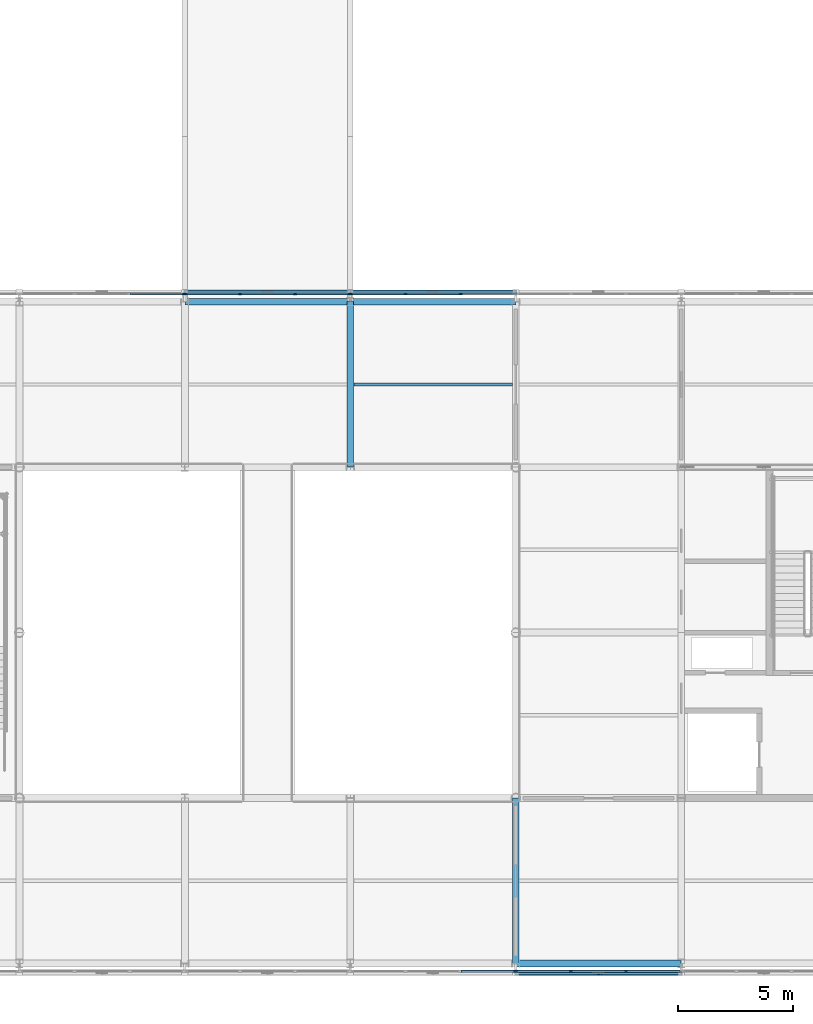
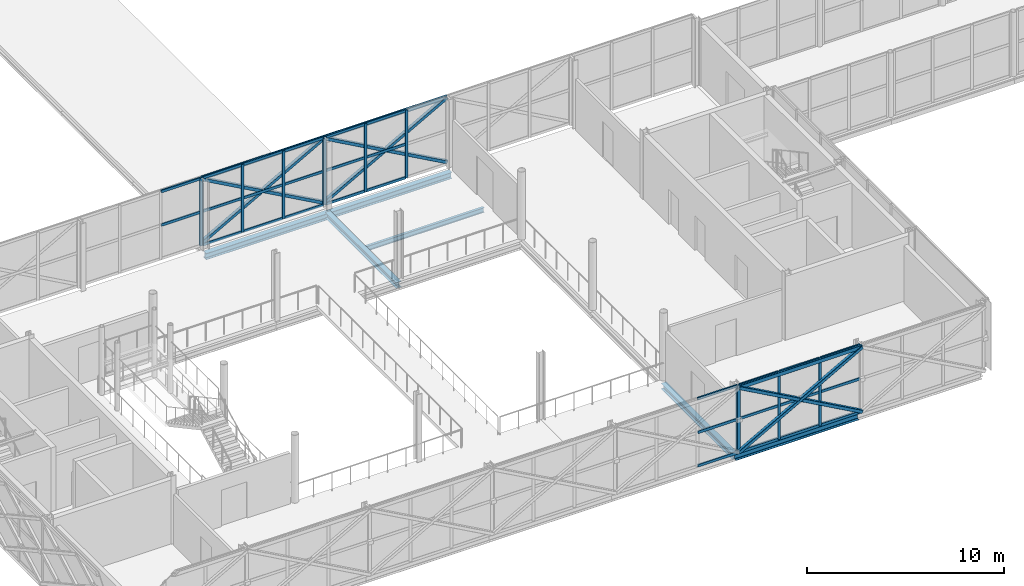
# One storey, part 34 of 126: 53 members, 6 beams, 5 elements without a shape of their own.
"""IFC4 building model written with IfcOpenShell, lengths in metres."""

from ifc_helpers import new_model, si_unit, direction, frame, origin, origin_2d, place, context, subcontext, project, spatial, rectangle, hollow_rectangle, i_section, extrude, material, material_profile, profile_set, type_object, element, aggregate, save


model = new_model("IFC4")

# Units and contexts
model_context = context("Model", 3, precision=1e-05, world=origin(), true_north=direction((0.0, 1.0)))
body_context = subcontext(model_context, "Body", "Model", "MODEL_VIEW")
ifc_project = project(units=[si_unit("LENGTHUNIT", "METRE"), si_unit("AREAUNIT", "SQUARE_METRE"), si_unit("VOLUMEUNIT", "CUBIC_METRE"), si_unit("PLANEANGLEUNIT", "RADIAN"), si_unit("MASSUNIT", "GRAM", prefix="KILO")], contexts=[model_context])

# Site, building, storey
site_placement = place(None, origin())
site = spatial("IfcSite", under=ifc_project, at=site_placement, CompositionType="ELEMENT")
building_placement = place(site_placement, origin())
building = spatial("IfcBuilding", under=site, at=building_placement, Name="Zlatovets Crest Museum", CompositionType="ELEMENT")
storey_placement = place(building_placement, frame((0.0, 0.0, 8.699951171875)))
storey = spatial("IfcBuildingStorey", under=building, at=storey_placement, Name="L02", CompositionType="ELEMENT", Elevation=8.699951171875)

# Beams
ifc_material_1 = material(Name="Structural steel S355J2", Category="steel")
ifc_material_profile_1 = material_profile(ifc_material_1, i_section(OverallWidth=0.300048828125, OverallDepth=0.389892578125, WebThickness=0.010986328125, FlangeThickness=0.01904296875, FilletRadius=0.027099609375, at=origin_2d()), Name="HEA 400")
ifc_profile_set_1 = profile_set([ifc_material_profile_1], Name="Structural steel S355J2")
beam_type_1 = type_object("IfcBeamType", Name="Beam_B-02", PredefinedType="BEAM", material=ifc_profile_set_1)
for number, where, z_axis, x_axis, name in (
    (1, (93.60009765625, 0.0, -0.4150390625), (1.0, 0.0, 0.0), (0.0, 1.0, 0.0), "V2 L02 Primary Girder B-02"),
    (2, (79.199951171875, 28.800048828125, -0.4150390625), (1.0, 0.0, 0.0), (0.0, 1.0, 0.0), "V2 L02 Primary Girder B-02"),
):
    element("IfcBeam", number, at=place(storey_placement, frame(where, z_axis=z_axis, x_axis=x_axis)), inside=storey, type_object=beam_type_1, Name=name, PredefinedType="BEAM", context=body_context, shape_type="SweptSolid", body=[
        extrude(i_section(OverallWidth=0.300048828125, OverallDepth=0.389892578125, WebThickness=0.010986328125, FlangeThickness=0.01904296875, FilletRadius=0.027099609375, at=origin_2d()), origin(), (0.0, 0.0, 1.0), 7.199951171875),
    ])
beam_1_placement = place(storey_placement, frame((86.39990234375, 28.800048828125, -0.4150390625), z_axis=(1.0, 0.0, 0.0), x_axis=(0.0, 1.0, 0.0)))
element("IfcBeam", 3, at=beam_1_placement, inside=storey, type_object=beam_type_1, Name="V2 L02 Primary Girder B-02", PredefinedType="BEAM", context=body_context, shape_type="SweptSolid", body=[
    extrude(i_section(OverallWidth=0.300048828125, OverallDepth=0.389892578125, WebThickness=0.010986328125, FlangeThickness=0.01904296875, FilletRadius=0.027099609375, at=origin_2d()), origin(), (0.0, 0.0, 1.0), 7.2001953125),
])
ifc_material_profile_2 = material_profile(ifc_material_1, i_section(OverallWidth=0.300048828125, OverallDepth=0.35009765625, WebThickness=0.010009765625, FlangeThickness=0.017578125, FilletRadius=0.027099609375, at=origin_2d()), Name="HEA 360")
ifc_profile_set_2 = profile_set([ifc_material_profile_2], Name="Structural steel S355J2")
beam_type_2 = type_object("IfcBeamType", Name="Beam_B-03", PredefinedType="BEAM", material=ifc_profile_set_2)
for number, where, z_axis, x_axis, name in (
    (4, (86.39990234375, 21.60009765625, -0.39501953125), (0.0, 1.0, 0.0), (-1.0, 0.0, 0.0), "V2 L02 Grid Beam B-03"),
    (5, (93.60009765625, 0.0, -0.39501953125), (0.0, 1.0, 0.0), (-1.0, 0.0, 0.0), "V2 L02 Grid Beam B-03"),
):
    element("IfcBeam", number, at=place(storey_placement, frame(where, z_axis=z_axis, x_axis=x_axis)), inside=storey, type_object=beam_type_2, Name=name, PredefinedType="BEAM", context=body_context, shape_type="SweptSolid", body=[
        extrude(i_section(OverallWidth=0.300048828125, OverallDepth=0.35009765625, WebThickness=0.010009765625, FlangeThickness=0.017578125, FilletRadius=0.027099609375, at=origin_2d()), origin(), (0.0, 0.0, 1.0), 7.199951171875),
    ])
ifc_material_profile_3 = material_profile(ifc_material_1, i_section(OverallWidth=0.14990234375, OverallDepth=0.300048828125, WebThickness=0.007080078125, FlangeThickness=0.0107421875, FilletRadius=0.014892578125, at=origin_2d()), Name="IPE 300")
ifc_profile_set_3 = profile_set([ifc_material_profile_3], Name="Structural steel S355J2")
beam_type_3 = type_object("IfcBeamType", Name="Beam_J-02", PredefinedType="JOIST", material=ifc_profile_set_3)
beam_2_placement = place(storey_placement, frame((86.550048828125, 25.199951171875, -0.369873046875), z_axis=(1.0, 0.0, 0.0), x_axis=(0.0, 1.0, 0.0)))
element("IfcBeam", 6, at=beam_2_placement, inside=storey, type_object=beam_type_3, Name="V2 L02 Composite Joist J-02", PredefinedType="JOIST", context=body_context, shape_type="SweptSolid", body=[
    extrude(i_section(OverallWidth=0.14990234375, OverallDepth=0.300048828125, WebThickness=0.007080078125, FlangeThickness=0.0107421875, FilletRadius=0.014892578125, at=origin_2d()), origin(), (0.0, 0.0, 1.0), 6.89990234375),
])

# Curtain wall, member
ifc_material_2 = material(Name="Bronze-anodised aluminium and low-E triple glass", Category="aluminium")
curtain_wall_type_1 = type_object("IfcCurtainWallType", Name="CW_CW-V2-L02-M0", PredefinedType="NOTDEFINED", material=ifc_material_2)
curtain_wall_1_placement = place(storey_placement, origin())
curtain_wall_1 = element("IfcCurtainWall", 7, at=curtain_wall_1_placement, inside=storey, type_object=curtain_wall_type_1, Name="V2 L02 Secession Foyer Clear Curtain Wall", PredefinedType="NOTDEFINED")
ifc_material_3 = material(Name="Bronze-anodised aluminium EN AW-6060", Category="aluminium")
ifc_material_profile_4 = material_profile(ifc_material_3, rectangle(XDim=0.080078125, YDim=0.159912109375, at=origin_2d()), Name="ALU 80x160")
ifc_profile_set_4 = profile_set([ifc_material_profile_4], Name="Bronze-anodised aluminium EN AW-6060")
member_type_1 = type_object("IfcMemberType", Name="CWMull_M1", PredefinedType="MULLION", material=ifc_profile_set_4)
member_1_placement = place(storey_placement, frame((93.570068359375, -0.340087890625, 0.0), z_axis=(0.0, 0.0, 1.0), x_axis=(0.0, 1.0, 0.0)))
member_1 = element("IfcMember", 8, at=member_1_placement, type_object=member_type_1, Name="CW-V2-L02-M0 mullion 4", PredefinedType="MULLION", context=body_context, shape_type="SweptSolid", body=[
    extrude(rectangle(XDim=0.080078125, YDim=0.159912109375, at=origin_2d()), origin(), (0.0, 0.0, 1.0), 4.199951171875),
])

# Curtain wall, members
curtain_wall_type_2 = type_object("IfcCurtainWallType", Name="CW_CW-V2-L02-M1", PredefinedType="NOTDEFINED", material=ifc_material_2)
curtain_wall_2_placement = place(storey_placement, origin())
curtain_wall_2 = element("IfcCurtainWall", 9, at=curtain_wall_2_placement, inside=storey, type_object=curtain_wall_type_2, Name="V2 L02 Secession Foyer Clear Curtain Wall", PredefinedType="NOTDEFINED")
member_2_placement = place(storey_placement, frame((93.6298828125, -0.340087890625, 0.0), z_axis=(0.0, 0.0, 1.0), x_axis=(0.0, 1.0, 0.0)))
member_2 = element("IfcMember", 10, at=member_2_placement, type_object=member_type_1, Name="CW-V2-L02-M1 mullion 1", PredefinedType="MULLION", context=body_context, shape_type="SweptSolid", body=[
    extrude(rectangle(XDim=0.080078125, YDim=0.159912109375, at=origin_2d()), origin(), (0.0, 0.0, 1.0), 4.199951171875),
])
member_3_placement = place(storey_placement, frame((96.0, -0.340087890625, 0.0), z_axis=(0.0, 0.0, 1.0), x_axis=(0.0, 1.0, 0.0)))
member_3 = element("IfcMember", 11, at=member_3_placement, type_object=member_type_1, Name="CW-V2-L02-M1 mullion 2", PredefinedType="MULLION", context=body_context, shape_type="SweptSolid", body=[
    extrude(rectangle(XDim=0.080078125, YDim=0.159912109375, at=origin_2d()), origin(), (0.0, 0.0, 1.0), 4.199951171875),
])
member_4_placement = place(storey_placement, frame((98.39990234375, -0.340087890625, 0.0), z_axis=(0.0, 0.0, 1.0), x_axis=(0.0, 1.0, 0.0)))
member_4 = element("IfcMember", 12, at=member_4_placement, type_object=member_type_1, Name="CW-V2-L02-M1 mullion 3", PredefinedType="MULLION", context=body_context, shape_type="SweptSolid", body=[
    extrude(rectangle(XDim=0.080078125, YDim=0.159912109375, at=origin_2d()), origin(), (0.0, 0.0, 1.0), 4.199951171875),
])

curtain_wall_3_placement = place(storey_placement, origin())
curtain_wall_3 = element("IfcCurtainWall", 13, at=curtain_wall_3_placement, inside=storey, type_object=curtain_wall_type_2, Name="V2 L02 Secession Foyer Clear Curtain Wall", PredefinedType="NOTDEFINED")
member_5_placement = place(storey_placement, frame((91.199951171875, 29.139892578125, 0.0), z_axis=(0.0, 0.0, 1.0), x_axis=(0.0, -1.0, 0.0)))
member_5 = element("IfcMember", 14, at=member_5_placement, type_object=member_type_1, Name="CW-V2-L02-M1 mullion 2", PredefinedType="MULLION", context=body_context, shape_type="SweptSolid", body=[
    extrude(rectangle(XDim=0.080078125, YDim=0.159912109375, at=origin_2d()), origin(), (0.0, 0.0, 1.0), 4.199951171875),
])
member_6_placement = place(storey_placement, frame((88.800048828125, 29.139892578125, 0.0), z_axis=(0.0, 0.0, 1.0), x_axis=(0.0, -1.0, 0.0)))
member_6 = element("IfcMember", 15, at=member_6_placement, type_object=member_type_1, Name="CW-V2-L02-M1 mullion 3", PredefinedType="MULLION", context=body_context, shape_type="SweptSolid", body=[
    extrude(rectangle(XDim=0.080078125, YDim=0.159912109375, at=origin_2d()), origin(), (0.0, 0.0, 1.0), 4.199951171875),
])
member_7_placement = place(storey_placement, frame((86.429931640625, 29.139892578125, 0.0), z_axis=(0.0, 0.0, 1.0), x_axis=(0.0, -1.0, 0.0)))
member_7 = element("IfcMember", 16, at=member_7_placement, type_object=member_type_1, Name="CW-V2-L02-M1 mullion 4", PredefinedType="MULLION", context=body_context, shape_type="SweptSolid", body=[
    extrude(rectangle(XDim=0.080078125, YDim=0.159912109375, at=origin_2d()), origin(), (0.0, 0.0, 1.0), 4.199951171875),
])

curtain_wall_type_3 = type_object("IfcCurtainWallType", Name="CW_CW-V2-L02-M2", PredefinedType="NOTDEFINED", material=ifc_material_2)
curtain_wall_4_placement = place(storey_placement, origin())
curtain_wall_4 = element("IfcCurtainWall", 17, at=curtain_wall_4_placement, inside=storey, type_object=curtain_wall_type_3, Name="V2 L02 Secession Foyer Clear Curtain Wall", PredefinedType="NOTDEFINED")
member_8_placement = place(storey_placement, frame((86.3701171875, 29.139892578125, 0.0), z_axis=(0.0, 0.0, 1.0), x_axis=(0.0, -1.0, 0.0)))
member_8 = element("IfcMember", 18, at=member_8_placement, type_object=member_type_1, Name="CW-V2-L02-M2 mullion 1", PredefinedType="MULLION", context=body_context, shape_type="SweptSolid", body=[
    extrude(rectangle(XDim=0.080078125, YDim=0.159912109375, at=origin_2d()), origin(), (0.0, 0.0, 1.0), 4.199951171875),
])
member_9_placement = place(storey_placement, frame((84.0, 29.139892578125, 0.0), z_axis=(0.0, 0.0, 1.0), x_axis=(0.0, -1.0, 0.0)))
member_9 = element("IfcMember", 19, at=member_9_placement, type_object=member_type_1, Name="CW-V2-L02-M2 mullion 2", PredefinedType="MULLION", context=body_context, shape_type="SweptSolid", body=[
    extrude(rectangle(XDim=0.080078125, YDim=0.159912109375, at=origin_2d()), origin(), (0.0, 0.0, 1.0), 4.199951171875),
])
member_10_placement = place(storey_placement, frame((81.60009765625, 29.139892578125, 0.0), z_axis=(0.0, 0.0, 1.0), x_axis=(0.0, -1.0, 0.0)))
member_10 = element("IfcMember", 20, at=member_10_placement, type_object=member_type_1, Name="CW-V2-L02-M2 mullion 3", PredefinedType="MULLION", context=body_context, shape_type="SweptSolid", body=[
    extrude(rectangle(XDim=0.080078125, YDim=0.159912109375, at=origin_2d()), origin(), (0.0, 0.0, 1.0), 4.199951171875),
])
member_11_placement = place(storey_placement, frame((79.22998046875, 29.139892578125, 0.0), z_axis=(0.0, 0.0, 1.0), x_axis=(0.0, -1.0, 0.0)))
member_11 = element("IfcMember", 21, at=member_11_placement, type_object=member_type_1, Name="CW-V2-L02-M2 mullion 4", PredefinedType="MULLION", context=body_context, shape_type="SweptSolid", body=[
    extrude(rectangle(XDim=0.080078125, YDim=0.159912109375, at=origin_2d()), origin(), (0.0, 0.0, 1.0), 4.199951171875),
])

# Curtain wall, member
curtain_wall_type_4 = type_object("IfcCurtainWallType", Name="CW_CW-V2-L02-M3", PredefinedType="NOTDEFINED", material=ifc_material_2)
curtain_wall_5_placement = place(storey_placement, origin())
curtain_wall_5 = element("IfcCurtainWall", 22, at=curtain_wall_5_placement, inside=storey, type_object=curtain_wall_type_4, Name="V2 L02 Secession Foyer Clear Curtain Wall", PredefinedType="NOTDEFINED")
member_12_placement = place(storey_placement, frame((79.169921875, 29.139892578125, 0.0), z_axis=(0.0, 0.0, 1.0), x_axis=(0.0, -1.0, 0.0)))
member_12 = element("IfcMember", 23, at=member_12_placement, type_object=member_type_1, Name="CW-V2-L02-M3 mullion 1", PredefinedType="MULLION", context=body_context, shape_type="SweptSolid", body=[
    extrude(rectangle(XDim=0.080078125, YDim=0.159912109375, at=origin_2d()), origin(), (0.0, 0.0, 1.0), 4.199951171875),
])

# Member
ifc_material_profile_5 = material_profile(ifc_material_3, rectangle(XDim=0.080078125, YDim=0.159912109375, at=origin_2d()), Name="ALU 80x160")
ifc_profile_set_5 = profile_set([ifc_material_profile_5], Name="Bronze-anodised aluminium EN AW-6060")
member_type_2 = type_object("IfcMemberType", Name="CWTrans_T1", PredefinedType="USERDEFINED", material=ifc_profile_set_5)
member_13_placement = place(storey_placement, frame((91.22998046875, -0.340087890625, 0.030029296875), z_axis=(1.0, 0.0, 0.0), x_axis=(0.0, 1.0, 0.0)))
member_13 = element("IfcMember", 24, at=member_13_placement, type_object=member_type_2, Name="CW-V2-L02-M0 transom 3.1", ObjectType="TRANSOM", PredefinedType="USERDEFINED", context=body_context, shape_type="SweptSolid", body=[
    extrude(rectangle(XDim=0.080078125, YDim=0.159912109375, at=origin_2d()), origin(), (0.0, 0.0, 1.0), 2.31005859375),
])

member_14_placement = place(storey_placement, frame((91.22998046875, -0.340087890625, 2.10009765625), z_axis=(1.0, 0.0, 0.0), x_axis=(0.0, 1.0, 0.0)))
member_14 = element("IfcMember", 25, at=member_14_placement, type_object=member_type_2, Name="CW-V2-L02-M0 transom 3.2", ObjectType="TRANSOM", PredefinedType="USERDEFINED", context=body_context, shape_type="SweptSolid", body=[
    extrude(rectangle(XDim=0.080078125, YDim=0.159912109375, at=origin_2d()), origin(), (0.0, 0.0, 1.0), 2.31005859375),
])

member_15_placement = place(storey_placement, frame((91.22998046875, -0.340087890625, 4.170166015625), z_axis=(1.0, 0.0, 0.0), x_axis=(0.0, 1.0, 0.0)))
member_15 = element("IfcMember", 26, at=member_15_placement, type_object=member_type_2, Name="CW-V2-L02-M0 transom 3.3", ObjectType="TRANSOM", PredefinedType="USERDEFINED", context=body_context, shape_type="SweptSolid", body=[
    extrude(rectangle(XDim=0.080078125, YDim=0.159912109375, at=origin_2d()), origin(), (0.0, 0.0, 1.0), 2.31005859375),
])

aggregate(curtain_wall_1, [member_1, member_13, member_14, member_15])

member_16_placement = place(storey_placement, frame((93.659912109375, -0.340087890625, 0.030029296875), z_axis=(1.0, 0.0, 0.0), x_axis=(0.0, 1.0, 0.0)))
member_16 = element("IfcMember", 27, at=member_16_placement, type_object=member_type_2, Name="CW-V2-L02-M1 transom 1.1", ObjectType="TRANSOM", PredefinedType="USERDEFINED", context=body_context, shape_type="SweptSolid", body=[
    extrude(rectangle(XDim=0.080078125, YDim=0.159912109375, at=origin_2d()), origin(), (0.0, 0.0, 1.0), 2.31005859375),
])

member_17_placement = place(storey_placement, frame((93.659912109375, -0.340087890625, 2.10009765625), z_axis=(1.0, 0.0, 0.0), x_axis=(0.0, 1.0, 0.0)))
member_17 = element("IfcMember", 28, at=member_17_placement, type_object=member_type_2, Name="CW-V2-L02-M1 transom 1.2", ObjectType="TRANSOM", PredefinedType="USERDEFINED", context=body_context, shape_type="SweptSolid", body=[
    extrude(rectangle(XDim=0.080078125, YDim=0.159912109375, at=origin_2d()), origin(), (0.0, 0.0, 1.0), 2.31005859375),
])

member_18_placement = place(storey_placement, frame((93.659912109375, -0.340087890625, 4.170166015625), z_axis=(1.0, 0.0, 0.0), x_axis=(0.0, 1.0, 0.0)))
member_18 = element("IfcMember", 29, at=member_18_placement, type_object=member_type_2, Name="CW-V2-L02-M1 transom 1.3", ObjectType="TRANSOM", PredefinedType="USERDEFINED", context=body_context, shape_type="SweptSolid", body=[
    extrude(rectangle(XDim=0.080078125, YDim=0.159912109375, at=origin_2d()), origin(), (0.0, 0.0, 1.0), 2.31005859375),
])

member_19_placement = place(storey_placement, frame((96.030029296875, -0.340087890625, 0.030029296875), z_axis=(1.0, 0.0, 0.0), x_axis=(0.0, 1.0, 0.0)))
member_19 = element("IfcMember", 30, at=member_19_placement, type_object=member_type_2, Name="CW-V2-L02-M1 transom 2.1", ObjectType="TRANSOM", PredefinedType="USERDEFINED", context=body_context, shape_type="SweptSolid", body=[
    extrude(rectangle(XDim=0.080078125, YDim=0.159912109375, at=origin_2d()), origin(), (0.0, 0.0, 1.0), 2.340087890625),
])

member_20_placement = place(storey_placement, frame((96.030029296875, -0.340087890625, 2.10009765625), z_axis=(1.0, 0.0, 0.0), x_axis=(0.0, 1.0, 0.0)))
member_20 = element("IfcMember", 31, at=member_20_placement, type_object=member_type_2, Name="CW-V2-L02-M1 transom 2.2", ObjectType="TRANSOM", PredefinedType="USERDEFINED", context=body_context, shape_type="SweptSolid", body=[
    extrude(rectangle(XDim=0.080078125, YDim=0.159912109375, at=origin_2d()), origin(), (0.0, 0.0, 1.0), 2.340087890625),
])

member_21_placement = place(storey_placement, frame((96.030029296875, -0.340087890625, 4.170166015625), z_axis=(1.0, 0.0, 0.0), x_axis=(0.0, 1.0, 0.0)))
member_21 = element("IfcMember", 32, at=member_21_placement, type_object=member_type_2, Name="CW-V2-L02-M1 transom 2.3", ObjectType="TRANSOM", PredefinedType="USERDEFINED", context=body_context, shape_type="SweptSolid", body=[
    extrude(rectangle(XDim=0.080078125, YDim=0.159912109375, at=origin_2d()), origin(), (0.0, 0.0, 1.0), 2.340087890625),
])

member_22_placement = place(storey_placement, frame((98.429931640625, -0.340087890625, 0.030029296875), z_axis=(1.0, 0.0, 0.0), x_axis=(0.0, 1.0, 0.0)))
member_22 = element("IfcMember", 33, at=member_22_placement, type_object=member_type_2, Name="CW-V2-L02-M1 transom 3.1", ObjectType="TRANSOM", PredefinedType="USERDEFINED", context=body_context, shape_type="SweptSolid", body=[
    extrude(rectangle(XDim=0.080078125, YDim=0.159912109375, at=origin_2d()), origin(), (0.0, 0.0, 1.0), 2.31005859375),
])

member_23_placement = place(storey_placement, frame((98.429931640625, -0.340087890625, 2.10009765625), z_axis=(1.0, 0.0, 0.0), x_axis=(0.0, 1.0, 0.0)))
member_23 = element("IfcMember", 34, at=member_23_placement, type_object=member_type_2, Name="CW-V2-L02-M1 transom 3.2", ObjectType="TRANSOM", PredefinedType="USERDEFINED", context=body_context, shape_type="SweptSolid", body=[
    extrude(rectangle(XDim=0.080078125, YDim=0.159912109375, at=origin_2d()), origin(), (0.0, 0.0, 1.0), 2.31005859375),
])

member_24_placement = place(storey_placement, frame((98.429931640625, -0.340087890625, 4.170166015625), z_axis=(1.0, 0.0, 0.0), x_axis=(0.0, 1.0, 0.0)))
member_24 = element("IfcMember", 35, at=member_24_placement, type_object=member_type_2, Name="CW-V2-L02-M1 transom 3.3", ObjectType="TRANSOM", PredefinedType="USERDEFINED", context=body_context, shape_type="SweptSolid", body=[
    extrude(rectangle(XDim=0.080078125, YDim=0.159912109375, at=origin_2d()), origin(), (0.0, 0.0, 1.0), 2.31005859375),
])

aggregate(curtain_wall_2, [member_2, member_3, member_4, member_16, member_17, member_18, member_19, member_20, member_21, member_22, member_23, member_24])

member_25_placement = place(storey_placement, frame((91.169921875, 29.139892578125, 0.030029296875), z_axis=(-1.0, 0.0, 0.0), x_axis=(0.0, -1.0, 0.0)))
member_25 = element("IfcMember", 36, at=member_25_placement, type_object=member_type_2, Name="CW-V2-L02-M1 transom 2.1", ObjectType="TRANSOM", PredefinedType="USERDEFINED", context=body_context, shape_type="SweptSolid", body=[
    extrude(rectangle(XDim=0.080078125, YDim=0.159912109375, at=origin_2d()), origin(), (0.0, 0.0, 1.0), 2.33984375),
])

member_26_placement = place(storey_placement, frame((91.169921875, 29.139892578125, 2.10009765625), z_axis=(-1.0, 0.0, 0.0), x_axis=(0.0, -1.0, 0.0)))
member_26 = element("IfcMember", 37, at=member_26_placement, type_object=member_type_2, Name="CW-V2-L02-M1 transom 2.2", ObjectType="TRANSOM", PredefinedType="USERDEFINED", context=body_context, shape_type="SweptSolid", body=[
    extrude(rectangle(XDim=0.080078125, YDim=0.159912109375, at=origin_2d()), origin(), (0.0, 0.0, 1.0), 2.33984375),
])

member_27_placement = place(storey_placement, frame((91.169921875, 29.139892578125, 4.170166015625), z_axis=(-1.0, 0.0, 0.0), x_axis=(0.0, -1.0, 0.0)))
member_27 = element("IfcMember", 38, at=member_27_placement, type_object=member_type_2, Name="CW-V2-L02-M1 transom 2.3", ObjectType="TRANSOM", PredefinedType="USERDEFINED", context=body_context, shape_type="SweptSolid", body=[
    extrude(rectangle(XDim=0.080078125, YDim=0.159912109375, at=origin_2d()), origin(), (0.0, 0.0, 1.0), 2.33984375),
])

member_28_placement = place(storey_placement, frame((88.77001953125, 29.139892578125, 0.030029296875), z_axis=(-1.0, 0.0, 0.0), x_axis=(0.0, -1.0, 0.0)))
member_28 = element("IfcMember", 39, at=member_28_placement, type_object=member_type_2, Name="CW-V2-L02-M1 transom 3.1", ObjectType="TRANSOM", PredefinedType="USERDEFINED", context=body_context, shape_type="SweptSolid", body=[
    extrude(rectangle(XDim=0.080078125, YDim=0.159912109375, at=origin_2d()), origin(), (0.0, 0.0, 1.0), 2.31005859375),
])

member_29_placement = place(storey_placement, frame((88.77001953125, 29.139892578125, 2.10009765625), z_axis=(-1.0, 0.0, 0.0), x_axis=(0.0, -1.0, 0.0)))
member_29 = element("IfcMember", 40, at=member_29_placement, type_object=member_type_2, Name="CW-V2-L02-M1 transom 3.2", ObjectType="TRANSOM", PredefinedType="USERDEFINED", context=body_context, shape_type="SweptSolid", body=[
    extrude(rectangle(XDim=0.080078125, YDim=0.159912109375, at=origin_2d()), origin(), (0.0, 0.0, 1.0), 2.31005859375),
])

member_30_placement = place(storey_placement, frame((88.77001953125, 29.139892578125, 4.170166015625), z_axis=(-1.0, 0.0, 0.0), x_axis=(0.0, -1.0, 0.0)))
member_30 = element("IfcMember", 41, at=member_30_placement, type_object=member_type_2, Name="CW-V2-L02-M1 transom 3.3", ObjectType="TRANSOM", PredefinedType="USERDEFINED", context=body_context, shape_type="SweptSolid", body=[
    extrude(rectangle(XDim=0.080078125, YDim=0.159912109375, at=origin_2d()), origin(), (0.0, 0.0, 1.0), 2.31005859375),
])

aggregate(curtain_wall_3, [member_5, member_6, member_7, member_25, member_26, member_27, member_28, member_29, member_30])

member_31_placement = place(storey_placement, frame((86.340087890625, 29.139892578125, 0.030029296875), z_axis=(-1.0, 0.0, 0.0), x_axis=(0.0, -1.0, 0.0)))
member_31 = element("IfcMember", 42, at=member_31_placement, type_object=member_type_2, Name="CW-V2-L02-M2 transom 1.1", ObjectType="TRANSOM", PredefinedType="USERDEFINED", context=body_context, shape_type="SweptSolid", body=[
    extrude(rectangle(XDim=0.080078125, YDim=0.159912109375, at=origin_2d()), origin(), (0.0, 0.0, 1.0), 2.31005859375),
])

member_32_placement = place(storey_placement, frame((86.340087890625, 29.139892578125, 2.10009765625), z_axis=(-1.0, 0.0, 0.0), x_axis=(0.0, -1.0, 0.0)))
member_32 = element("IfcMember", 43, at=member_32_placement, type_object=member_type_2, Name="CW-V2-L02-M2 transom 1.2", ObjectType="TRANSOM", PredefinedType="USERDEFINED", context=body_context, shape_type="SweptSolid", body=[
    extrude(rectangle(XDim=0.080078125, YDim=0.159912109375, at=origin_2d()), origin(), (0.0, 0.0, 1.0), 2.31005859375),
])

member_33_placement = place(storey_placement, frame((86.340087890625, 29.139892578125, 4.170166015625), z_axis=(-1.0, 0.0, 0.0), x_axis=(0.0, -1.0, 0.0)))
member_33 = element("IfcMember", 44, at=member_33_placement, type_object=member_type_2, Name="CW-V2-L02-M2 transom 1.3", ObjectType="TRANSOM", PredefinedType="USERDEFINED", context=body_context, shape_type="SweptSolid", body=[
    extrude(rectangle(XDim=0.080078125, YDim=0.159912109375, at=origin_2d()), origin(), (0.0, 0.0, 1.0), 2.31005859375),
])

member_34_placement = place(storey_placement, frame((83.969970703125, 29.139892578125, 0.030029296875), z_axis=(-1.0, 0.0, 0.0), x_axis=(0.0, -1.0, 0.0)))
member_34 = element("IfcMember", 45, at=member_34_placement, type_object=member_type_2, Name="CW-V2-L02-M2 transom 2.1", ObjectType="TRANSOM", PredefinedType="USERDEFINED", context=body_context, shape_type="SweptSolid", body=[
    extrude(rectangle(XDim=0.080078125, YDim=0.159912109375, at=origin_2d()), origin(), (0.0, 0.0, 1.0), 2.340087890625),
])

member_35_placement = place(storey_placement, frame((83.969970703125, 29.139892578125, 2.10009765625), z_axis=(-1.0, 0.0, 0.0), x_axis=(0.0, -1.0, 0.0)))
member_35 = element("IfcMember", 46, at=member_35_placement, type_object=member_type_2, Name="CW-V2-L02-M2 transom 2.2", ObjectType="TRANSOM", PredefinedType="USERDEFINED", context=body_context, shape_type="SweptSolid", body=[
    extrude(rectangle(XDim=0.080078125, YDim=0.159912109375, at=origin_2d()), origin(), (0.0, 0.0, 1.0), 2.340087890625),
])

member_36_placement = place(storey_placement, frame((83.969970703125, 29.139892578125, 4.170166015625), z_axis=(-1.0, 0.0, 0.0), x_axis=(0.0, -1.0, 0.0)))
member_36 = element("IfcMember", 47, at=member_36_placement, type_object=member_type_2, Name="CW-V2-L02-M2 transom 2.3", ObjectType="TRANSOM", PredefinedType="USERDEFINED", context=body_context, shape_type="SweptSolid", body=[
    extrude(rectangle(XDim=0.080078125, YDim=0.159912109375, at=origin_2d()), origin(), (0.0, 0.0, 1.0), 2.340087890625),
])

member_37_placement = place(storey_placement, frame((81.570068359375, 29.139892578125, 0.030029296875), z_axis=(-1.0, 0.0, 0.0), x_axis=(0.0, -1.0, 0.0)))
member_37 = element("IfcMember", 48, at=member_37_placement, type_object=member_type_2, Name="CW-V2-L02-M2 transom 3.1", ObjectType="TRANSOM", PredefinedType="USERDEFINED", context=body_context, shape_type="SweptSolid", body=[
    extrude(rectangle(XDim=0.080078125, YDim=0.159912109375, at=origin_2d()), origin(), (0.0, 0.0, 1.0), 2.31005859375),
])

member_38_placement = place(storey_placement, frame((81.570068359375, 29.139892578125, 2.10009765625), z_axis=(-1.0, 0.0, 0.0), x_axis=(0.0, -1.0, 0.0)))
member_38 = element("IfcMember", 49, at=member_38_placement, type_object=member_type_2, Name="CW-V2-L02-M2 transom 3.2", ObjectType="TRANSOM", PredefinedType="USERDEFINED", context=body_context, shape_type="SweptSolid", body=[
    extrude(rectangle(XDim=0.080078125, YDim=0.159912109375, at=origin_2d()), origin(), (0.0, 0.0, 1.0), 2.31005859375),
])

member_39_placement = place(storey_placement, frame((81.570068359375, 29.139892578125, 4.170166015625), z_axis=(-1.0, 0.0, 0.0), x_axis=(0.0, -1.0, 0.0)))
member_39 = element("IfcMember", 50, at=member_39_placement, type_object=member_type_2, Name="CW-V2-L02-M2 transom 3.3", ObjectType="TRANSOM", PredefinedType="USERDEFINED", context=body_context, shape_type="SweptSolid", body=[
    extrude(rectangle(XDim=0.080078125, YDim=0.159912109375, at=origin_2d()), origin(), (0.0, 0.0, 1.0), 2.31005859375),
])

aggregate(curtain_wall_4, [member_8, member_9, member_10, member_11, member_31, member_32, member_33, member_34, member_35, member_36, member_37, member_38, member_39])

member_40_placement = place(storey_placement, frame((79.139892578125, 29.139892578125, 2.10009765625), z_axis=(-1.0, 0.0, 0.0), x_axis=(0.0, -1.0, 0.0)))
member_40 = element("IfcMember", 51, at=member_40_placement, type_object=member_type_2, Name="CW-V2-L02-M3 transom 1.2", ObjectType="TRANSOM", PredefinedType="USERDEFINED", context=body_context, shape_type="SweptSolid", body=[
    extrude(rectangle(XDim=0.080078125, YDim=0.159912109375, at=origin_2d()), origin(), (0.0, 0.0, 1.0), 2.309814453125),
])

member_41_placement = place(storey_placement, frame((79.139892578125, 29.139892578125, 4.170166015625), z_axis=(-1.0, 0.0, 0.0), x_axis=(0.0, -1.0, 0.0)))
member_41 = element("IfcMember", 52, at=member_41_placement, type_object=member_type_2, Name="CW-V2-L02-M3 transom 1.3", ObjectType="TRANSOM", PredefinedType="USERDEFINED", context=body_context, shape_type="SweptSolid", body=[
    extrude(rectangle(XDim=0.080078125, YDim=0.159912109375, at=origin_2d()), origin(), (0.0, 0.0, 1.0), 2.309814453125),
])

aggregate(curtain_wall_5, [member_12, member_40, member_41])

# Members
ifc_material_4 = material(Name="Weathering bronze-steel S355J2W", Category="steel")
ifc_material_profile_6 = material_profile(ifc_material_4, hollow_rectangle(XDim=0.199951171875, YDim=0.199951171875, WallThickness=0.012451171875, InnerFilletRadius=0.012451171875, OuterFilletRadius=0.02490234375, at=origin_2d()), Name="SHS 200x200x12.5")
ifc_profile_set_6 = profile_set([ifc_material_profile_6], Name="Weathering bronze-steel S355J2W")
member_type_3 = type_object("IfcMemberType", Name="Lattice_XL-02", PredefinedType="BRACE", material=ifc_profile_set_6)
member_42_placement = place(storey_placement, frame((93.60009765625, -0.419921875, 0.10009765625), z_axis=(0.874155877937, 0.0, 0.485645447903), x_axis=(0.0, 1.0, 0.0)))
element("IfcMember", 53, at=member_42_placement, inside=storey, type_object=member_type_3, Name="Continuous Bronze Lattice Diagonal", PredefinedType="BRACE", context=body_context, shape_type="SweptSolid", body=[
    extrude(hollow_rectangle(XDim=0.199951171875, YDim=0.199951171875, WallThickness=0.012451171875, InnerFilletRadius=0.012451171875, OuterFilletRadius=0.02490234375, at=origin_2d()), origin(), (0.0, 0.0, 1.0), 8.236572265625),
])
member_43_placement = place(storey_placement, frame((93.60009765625, -0.419921875, 4.10009765625), z_axis=(0.874151551165, 0.0, -0.485653235958), x_axis=(0.0, 1.0, 0.0)))
element("IfcMember", 54, at=member_43_placement, inside=storey, type_object=member_type_3, Name="Split Crossing Bronze Lattice Diagonal Upper", PredefinedType="BRACE", context=body_context, shape_type="SweptSolid", body=[
    extrude(hollow_rectangle(XDim=0.199951171875, YDim=0.199951171875, WallThickness=0.012451171875, InnerFilletRadius=0.012451171875, OuterFilletRadius=0.02490234375, at=origin_2d()), origin(), (0.0, 0.0, 1.0), 4.023193359375),
])
member_44_placement = place(storey_placement, frame((97.282958984375, -0.419921875, 2.053955078125), z_axis=(0.874165862873, 0.0, -0.485627474703), x_axis=(0.0, 1.0, 0.0)))
element("IfcMember", 55, at=member_44_placement, inside=storey, type_object=member_type_3, Name="Split Crossing Bronze Lattice Diagonal Lower", PredefinedType="BRACE", context=body_context, shape_type="SweptSolid", body=[
    extrude(hollow_rectangle(XDim=0.199951171875, YDim=0.199951171875, WallThickness=0.012451171875, InnerFilletRadius=0.012451171875, OuterFilletRadius=0.02490234375, at=origin_2d()), origin(), (0.0, 0.0, 1.0), 4.0234375),
])
member_45_placement = place(storey_placement, frame((93.60009765625, 29.219970703125, 0.10009765625), z_axis=(-0.874162868644, 0.0, 0.485632864501), x_axis=(0.0, -1.0, 0.0)))
element("IfcMember", 56, at=member_45_placement, inside=storey, type_object=member_type_3, Name="Continuous Bronze Lattice Diagonal", PredefinedType="BRACE", context=body_context, shape_type="SweptSolid", body=[
    extrude(hollow_rectangle(XDim=0.199951171875, YDim=0.199951171875, WallThickness=0.012451171875, InnerFilletRadius=0.012451171875, OuterFilletRadius=0.02490234375, at=origin_2d()), origin(), (0.0, 0.0, 1.0), 8.236572265625),
])
for number, where, z_axis, x_axis, name in (
    (57, (93.60009765625, 29.219970703125, 4.10009765625), (-0.874165862873, 0.0, -0.485627474703), (0.0, -1.0, 0.0), "Split Crossing Bronze Lattice Diagonal Upper"),
    (58, (89.9169921875, 29.219970703125, 2.053955078125), (-0.874165862873, 0.0, -0.485627474703), (0.0, -1.0, 0.0), "Split Crossing Bronze Lattice Diagonal Lower"),
):
    element("IfcMember", number, at=place(storey_placement, frame(where, z_axis=z_axis, x_axis=x_axis)), inside=storey, type_object=member_type_3, Name=name, PredefinedType="BRACE", context=body_context, shape_type="SweptSolid", body=[
        extrude(hollow_rectangle(XDim=0.199951171875, YDim=0.199951171875, WallThickness=0.012451171875, InnerFilletRadius=0.012451171875, OuterFilletRadius=0.02490234375, at=origin_2d()), origin(), (0.0, 0.0, 1.0), 4.0234375),
    ])
member_46_placement = place(storey_placement, frame((86.39990234375, 29.219970703125, 0.10009765625), z_axis=(-0.874155877937, 0.0, 0.485645447903), x_axis=(0.0, -1.0, 0.0)))
element("IfcMember", 59, at=member_46_placement, inside=storey, type_object=member_type_3, Name="Continuous Bronze Lattice Diagonal", PredefinedType="BRACE", context=body_context, shape_type="SweptSolid", body=[
    extrude(hollow_rectangle(XDim=0.199951171875, YDim=0.199951171875, WallThickness=0.012451171875, InnerFilletRadius=0.012451171875, OuterFilletRadius=0.02490234375, at=origin_2d()), origin(), (0.0, 0.0, 1.0), 8.236572265625),
])
member_47_placement = place(storey_placement, frame((86.39990234375, 29.219970703125, 4.10009765625), z_axis=(-0.874151551165, 0.0, -0.485653235958), x_axis=(0.0, -1.0, 0.0)))
element("IfcMember", 60, at=member_47_placement, inside=storey, type_object=member_type_3, Name="Split Crossing Bronze Lattice Diagonal Upper", PredefinedType="BRACE", context=body_context, shape_type="SweptSolid", body=[
    extrude(hollow_rectangle(XDim=0.199951171875, YDim=0.199951171875, WallThickness=0.012451171875, InnerFilletRadius=0.012451171875, OuterFilletRadius=0.02490234375, at=origin_2d()), origin(), (0.0, 0.0, 1.0), 4.023193359375),
])
member_48_placement = place(storey_placement, frame((82.717041015625, 29.219970703125, 2.053955078125), z_axis=(-0.874165862873, 0.0, -0.485627474703), x_axis=(0.0, -1.0, 0.0)))
element("IfcMember", 61, at=member_48_placement, inside=storey, type_object=member_type_3, Name="Split Crossing Bronze Lattice Diagonal Lower", PredefinedType="BRACE", context=body_context, shape_type="SweptSolid", body=[
    extrude(hollow_rectangle(XDim=0.199951171875, YDim=0.199951171875, WallThickness=0.012451171875, InnerFilletRadius=0.012451171875, OuterFilletRadius=0.02490234375, at=origin_2d()), origin(), (0.0, 0.0, 1.0), 4.0234375),
])
ifc_material_profile_7 = material_profile(ifc_material_4, hollow_rectangle(XDim=0.1201171875, YDim=0.239990234375, WallThickness=0.010009765625, InnerFilletRadius=0.010009765625, OuterFilletRadius=0.02001953125, at=origin_2d()), Name="RHS 120x240x10.0")
ifc_profile_set_7 = profile_set([ifc_material_profile_7], Name="Weathering bronze-steel S355J2W")
member_type_4 = type_object("IfcMemberType", Name="Lattice_XL-04", PredefinedType="CHORD", material=ifc_profile_set_7)
member_49_placement = place(storey_placement, frame((93.60009765625, -0.419921875, 4.10009765625), z_axis=(1.0, 0.0, 0.0), x_axis=(0.0, 1.0, 0.0)))
element("IfcMember", 62, at=member_49_placement, inside=storey, type_object=member_type_4, Name="Art Nouveau Woven Cage Collector Ring Chord", PredefinedType="CHORD", context=body_context, shape_type="SweptSolid", body=[
    extrude(hollow_rectangle(XDim=0.1201171875, YDim=0.239990234375, WallThickness=0.010009765625, InnerFilletRadius=0.010009765625, OuterFilletRadius=0.02001953125, at=origin_2d()), origin(), (0.0, 0.0, 1.0), 7.199951171875),
])
member_50_placement = place(storey_placement, frame((93.60009765625, 29.219970703125, 4.10009765625), z_axis=(-1.0, 0.0, 0.0), x_axis=(0.0, -1.0, 0.0)))
element("IfcMember", 63, at=member_50_placement, inside=storey, type_object=member_type_4, Name="Art Nouveau Woven Cage Collector Ring Chord", PredefinedType="CHORD", context=body_context, shape_type="SweptSolid", body=[
    extrude(hollow_rectangle(XDim=0.1201171875, YDim=0.239990234375, WallThickness=0.010009765625, InnerFilletRadius=0.010009765625, OuterFilletRadius=0.02001953125, at=origin_2d()), origin(), (0.0, 0.0, 1.0), 7.2001953125),
])
member_51_placement = place(storey_placement, frame((86.39990234375, 29.219970703125, 4.10009765625), z_axis=(-1.0, 0.0, 0.0), x_axis=(0.0, -1.0, 0.0)))
element("IfcMember", 64, at=member_51_placement, inside=storey, type_object=member_type_4, Name="Art Nouveau Woven Cage Collector Ring Chord", PredefinedType="CHORD", context=body_context, shape_type="SweptSolid", body=[
    extrude(hollow_rectangle(XDim=0.1201171875, YDim=0.239990234375, WallThickness=0.010009765625, InnerFilletRadius=0.010009765625, OuterFilletRadius=0.02001953125, at=origin_2d()), origin(), (0.0, 0.0, 1.0), 7.199951171875),
])

save(model, "model.ifc")
